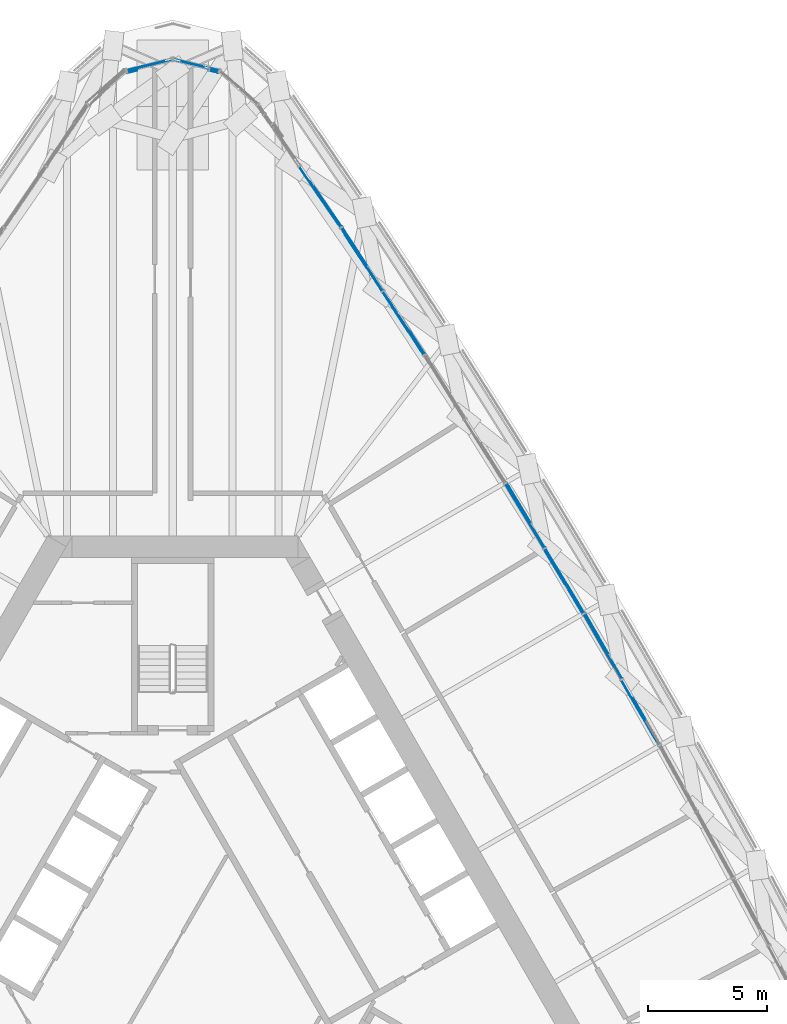
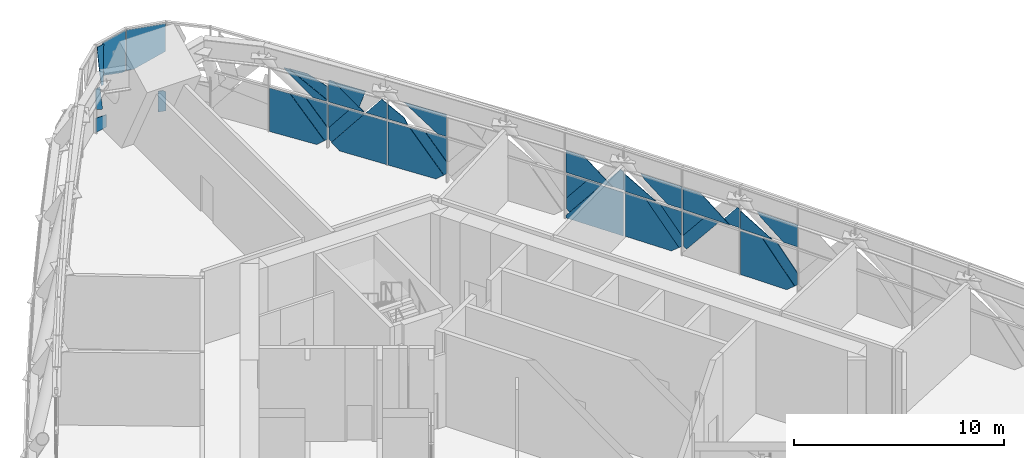
# One storey, part 19 of 43: 40 plates, 2 elements without a shape of their own.
"""IFC4 building model written with IfcOpenShell, lengths in metres."""

from ifc_helpers import new_model, si_unit, direction, frame, origin, place, context, subcontext, project, spatial, polyline, outline, extrude, material, layer, layer_set, type_object, element, aggregate, save


model = new_model("IFC4")

# Units and contexts
model_context = context("Model", 3, precision=1e-05, world=origin(), true_north=direction((0.0, 1.0)))
body_context = subcontext(model_context, "Body", "Model", "MODEL_VIEW")
ifc_project = project(units=[si_unit("LENGTHUNIT", "METRE"), si_unit("AREAUNIT", "SQUARE_METRE"), si_unit("VOLUMEUNIT", "CUBIC_METRE"), si_unit("PLANEANGLEUNIT", "RADIAN"), si_unit("MASSUNIT", "GRAM", prefix="KILO")], contexts=[model_context])

# Site, building, storey
site_placement = place(None, origin())
site = spatial("IfcSite", under=ifc_project, at=site_placement, CompositionType="ELEMENT")
building_placement = place(site_placement, origin())
building = spatial("IfcBuilding", under=site, at=building_placement, Name="Mestral Congress Tower", CompositionType="ELEMENT")
storey_placement = place(building_placement, frame((0.0, 0.0, 78.300048828125)))
storey = spatial("IfcBuildingStorey", under=building, at=storey_placement, Name="L18", CompositionType="ELEMENT", Elevation=78.300048828125)

# Curtain wall, plates
ifc_material_1 = material(Name="Clear low-emissivity double glazing", Category="glass")
curtain_wall_type = type_object("IfcCurtainWallType", Name="Facade refuge band screen", PredefinedType="USERDEFINED", material=ifc_material_1)
placement = place(storey_placement, origin())
curtain_wall_1 = element("IfcCurtainWall", 1, at=placement, inside=storey, type_object=curtain_wall_type, Name="Facade refuge band screen face 2", ObjectType="CURTAIN WALL", PredefinedType="USERDEFINED")
ifc_material_2 = material(Name="Anodised aluminium", Category="aluminium")
ifc_layer_1 = layer(ifc_material_2, 0.028076171875)
ifc_layer_set_1 = layer_set([ifc_layer_1], Name="Anodised aluminium")
plate_type_1 = type_object("IfcPlateType", Name="Facade refuge band screen brace cover panel", PredefinedType="CURTAIN_PANEL", material=ifc_layer_set_1)
plate_1_placement = place(storey_placement, frame((19.4755859375, 9.822021484375, 2.5400390625), z_axis=(0.865989351942, 0.500058874767, 0.001887879804), x_axis=(0.316024471565, -0.544349590735, -0.777053445034)))
plate_1 = element("IfcPlate", 2, at=plate_1_placement, type_object=plate_type_1, Name="Facade refuge band screen brace cover panel", PredefinedType="CURTAIN_PANEL", context=body_context, shape_type="SweptSolid", body=[
    extrude(outline(polyline([(0.0, 0.0), (2.812608355568554, 0.0), (2.812825746127844, -0.20235147438372514), (2.3015136286790643, -0.6164421801136237), (0.49935046743699185, -0.6164638896257844), (0.0, 0.0)])), origin(), (0.0, 0.0, -1.0), 0.028076171875),
])
plate_2_placement = place(storey_placement, frame((18.848388671875, 10.847412109375, 2.659912109375), z_axis=(0.865959480227, 0.500110559372, 0.001899212862), x_axis=(0.500111461326, -0.865961041993, 0.0)))
plate_2 = element("IfcPlate", 3, at=plate_2_placement, type_object=plate_type_1, Name="Facade refuge band screen brace cover panel", PredefinedType="CURTAIN_PANEL", context=body_context, shape_type="SweptSolid", body=[
    extrude(outline(polyline([(0.0, 0.0), (1.7383820065218427, -2.168404344971009e-19), (-9.017593093529853e-06, -1.0363788222408117), (0.0, 0.0)])), origin(), (0.0, 0.0, -1.0), 0.028076171875),
])
plate_3_placement = place(storey_placement, frame((20.462890625, 8.166259765625, 3.93798828125), z_axis=(0.866025528429, 0.499995856191, 0.001981893353), x_axis=(-0.499996838187, 0.86602722925, 1.525e-08)))
plate_3 = element("IfcPlate", 4, at=plate_3_placement, type_object=plate_type_1, Name="Facade refuge band screen brace cover panel", PredefinedType="CURTAIN_PANEL", context=body_context, shape_type="SweptSolid", body=[
    extrude(outline(polyline([(0.0, 0.0), (2.255843574434833, 0.0), (2.03169216336594, -0.27710014610846884), (0.7949271786672426, -1.2780787026731648), (-4.148321126463876e-05, -1.2780786427661845), (0.0, 0.0)])), origin(), (0.0, 0.0, -1.0), 0.028076171875),
])
plate_4_placement = place(storey_placement, frame((17.33203125, 13.65478515625, 0.481689453125), z_axis=(0.86600122358, 0.500037988732, 0.001972455923), x_axis=(0.38979561521, -0.67259439763, -0.629027944243)))
plate_4 = element("IfcPlate", 5, at=plate_4_placement, type_object=plate_type_1, Name="Facade refuge band screen brace cover panel", PredefinedType="CURTAIN_PANEL", context=body_context, shape_type="SweptSolid", body=[
    extrude(outline(polyline([(0.0, 0.0), (0.20221255423433798, 0.0), (0.2037848140864491, -2.8126981932882877), (-0.4129384548706968, -2.3136681089427173), (-0.41376262426855837, -0.5115779497043713), (0.0, 0.0)])), origin(), (0.0, 0.0, -1.0), 0.028076171875),
])
plate_5_placement = place(storey_placement, frame((17.277587890625, 13.623291015625, 3.93798828125), z_axis=(0.866024104811, 0.499998295628, 0.001988530849), x_axis=(0.00173834292, 0.000966163383, -0.999998022344)))
plate_5 = element("IfcPlate", 6, at=plate_5_placement, type_object=plate_type_1, Name="Facade refuge band screen brace cover panel", PredefinedType="CURTAIN_PANEL", context=body_context, shape_type="SweptSolid", body=[
    extrude(outline(polyline([(0.0, 0.0), (1.2780786432799847, 1.1519648082658485e-19), (1.278161702856559, -2.5580601826964364), (3.171194516528796e-05, -0.9790542542326115), (0.0, 0.0)])), origin(), (0.0, 0.0, -1.0), 0.028076171875),
])
plate_6_placement = place(storey_placement, frame((18.86865234375, 10.928466796875, 3.73193359375), z_axis=(0.865998764336, 0.500042444424, 0.001921963534), x_axis=(-0.430272406709, 0.7431981461, 0.512369175164)))
plate_6 = element("IfcPlate", 7, at=plate_6_placement, type_object=plate_type_1, Name="Facade refuge band screen brace cover panel", PredefinedType="CURTAIN_PANEL", context=body_context, shape_type="SweptSolid", body=[
    extrude(outline(polyline([(0.0, 0.0), (0.16915509756446465, 0.0), (0.32305129809211425, -1.1584887015869925), (-0.05858662217089494, -1.2133770644589918), (-0.5493853600618688, -0.9205490444515901), (0.0, 0.0)])), origin(), (0.0, 0.0, -1.0), 0.028076171875),
])
plate_7_placement = place(storey_placement, frame((16.2490234375, 15.337646484375, 2.5400390625), z_axis=(0.856658690608, 0.515879715236, 0.002001802538), x_axis=(0.327326366298, -0.540543683085, -0.77502901662)))
plate_7 = element("IfcPlate", 8, at=plate_7_placement, type_object=plate_type_1, Name="Facade refuge band screen brace cover panel", PredefinedType="CURTAIN_PANEL", context=body_context, shape_type="SweptSolid", body=[
    extrude(outline(polyline([(0.0, 0.0), (2.821530013135539, 2.220446049250313e-16), (2.8215588693815095, -0.2013214374691663), (2.3123747667186763, -0.6164834143547523), (0.5026594338957363, -0.6164926115502116), (0.0, 0.0)])), origin(), (0.0, 0.0, -1.0), 0.028076171875),
])
plate_8_placement = place(storey_placement, frame((15.60888671875, 16.341796875, 2.659912109375), z_axis=(0.856593059746, 0.515989291182, 0.001838852981), x_axis=(0.515990163562, -0.856594507983, 0.0)))
plate_8 = element("IfcPlate", 9, at=plate_8_placement, type_object=plate_type_1, Name="Facade refuge band screen brace cover panel", PredefinedType="CURTAIN_PANEL", context=body_context, shape_type="SweptSolid", body=[
    extrude(outline(polyline([(0.0, 0.0), (1.728889243916658, 0.0), (0.00028980262659675975, -1.0249040765466844), (0.0, 0.0)])), origin(), (0.0, 0.0, -1.0), 0.028076171875),
])
plate_9_placement = place(storey_placement, frame((17.27490234375, 13.69189453125, 2.659912109375), z_axis=(0.856634861444, 0.515919696713, 0.001892274496), x_axis=(-0.001656480123, -0.000917337496, 0.999998207281)))
plate_9 = element("IfcPlate", 10, at=plate_9_placement, type_object=plate_type_1, Name="Facade refuge band screen brace cover panel", PredefinedType="CURTAIN_PANEL", context=body_context, shape_type="SweptSolid", body=[
    extrude(outline(polyline([(0.0, 0.0), (1.27807864016734, 2.710505431213761e-20), (1.2782347847854483, -2.2725267118858), (0.9989217980405599, -2.044815088924262), (5.558411807845588e-05, -0.8057431390858486), (0.0, 0.0)])), origin(), (0.0, 0.0, -1.0), 0.028076171875),
])
plate_10_placement = place(storey_placement, frame((14.046142578125, 19.12353515625, 0.480712890625), z_axis=(0.85655520017, 0.516051044772, 0.002123264381), x_axis=(0.403239090668, -0.666728014565, -0.626795014619)))
plate_10 = element("IfcPlate", 11, at=plate_10_placement, type_object=plate_type_1, Name="Facade refuge band screen brace cover panel", PredefinedType="CURTAIN_PANEL", context=body_context, shape_type="SweptSolid", body=[
    extrude(outline(polyline([(0.0, 0.0), (0.20215388987069002, 1.3877787807814457e-17), (0.20268639445840564, -2.80598244677556), (-0.41446677699031287, -2.309527192241336), (-0.41470471216505206, -0.5155235199374033), (0.0, 0.0)])), origin(), (0.0, 0.0, -1.0), 0.028076171875),
])
plate_11_placement = place(storey_placement, frame((13.987060546875, 19.087890625, 3.93798828125), z_axis=(0.856647748056, 0.515897574362, 0.002080509106), x_axis=(0.001733307831, 0.001154629085, -0.999997831235)))
plate_11 = element("IfcPlate", 12, at=plate_11_placement, type_object=plate_type_1, Name="Facade refuge band screen brace cover panel", PredefinedType="CURTAIN_PANEL", context=body_context, shape_type="SweptSolid", body=[
    extrude(outline(polyline([(0.0, 0.0), (1.2780788999176425, 2.303929616531697e-19), (1.277837418419697, -2.545015639459247), (-9.108069514052945e-05, -0.9592795872346374), (0.0, 0.0)])), origin(), (0.0, 0.0, -1.0), 0.028076171875),
])
plate_12_placement = place(storey_placement, frame((15.327880859375, 16.924560546875, 2.659912109375), z_axis=(0.856567304172, 0.516031684618, 0.00193749677), x_axis=(0.516032653179, -0.856568911911, 3.508e-09)))
plate_12 = element("IfcPlate", 13, at=plate_12_placement, type_object=plate_type_1, Name="Facade refuge band screen brace cover panel", PredefinedType="CURTAIN_PANEL", context=body_context, shape_type="SweptSolid", body=[
    extrude(outline(polyline([(0.0, 0.0), (0.5842936025621068, 1.0842021724855044e-19), (0.584248207618932, -1.0605486970162858), (0.4135860913294734, -1.1616234316545262), (-0.3168715741571328, -0.25537129927801017), (0.0, 0.0)])), origin(), (0.0, 0.0, -1.0), 0.028076171875),
])
plate_13_placement = place(storey_placement, frame((9.4912109375, 26.1865234375, 2.5400390625), z_axis=(0.836891711947, 0.547365047413, 0.001940964939), x_axis=(0.349964904951, -0.532344241008, -0.770800995308)))
plate_13 = element("IfcPlate", 14, at=plate_13_placement, type_object=plate_type_1, Name="Facade refuge band screen brace cover panel", PredefinedType="CURTAIN_PANEL", context=body_context, shape_type="SweptSolid", body=[
    extrude(outline(polyline([(0.0, 0.0), (2.8461921180996197, -2.220446049250313e-16), (2.8459893175177973, -0.19519821562307338), (2.3345537872092503, -0.6180054144412254), (0.5109011761802298, -0.6181443863384859), (0.0, 0.0)])), origin(), (0.0, 0.0, -1.0), 0.028076171875),
])
plate_14_placement = place(storey_placement, frame((9.32470703125, 26.43994140625, 3.005859375), z_axis=(0.836917579615, 0.547325110825, 0.002046458421), x_axis=(-0.473839238173, 0.722668427094, 0.503216375775)))
plate_14 = element("IfcPlate", 15, at=plate_14_placement, type_object=plate_type_1, Name="Facade refuge band screen brace cover panel", PredefinedType="CURTAIN_PANEL", context=body_context, shape_type="SweptSolid", body=[
    extrude(outline(polyline([(0.0, 0.0), (0.9979749079462825, -5.551115123125783e-17), (0.5711863212362236, -0.7329418441949369), (-0.3269858053947472, -0.2099183227057522), (0.0, 0.0)])), origin(), (0.0, 0.0, -1.0), 0.028076171875),
])
plate_15_placement = place(storey_placement, frame((9.287109375, 26.439208984375, 3.93798828125), z_axis=(0.836921440812, 0.547319772975, 0.001888920169), x_axis=(0.447961199004, -0.682998464492, -0.576926218584)))
plate_15 = element("IfcPlate", 16, at=plate_15_placement, type_object=plate_type_1, Name="Facade refuge band screen brace cover panel", PredefinedType="CURTAIN_PANEL", context=body_context, shape_type="SweptSolid", body=[
    extrude(outline(polyline([(0.0, 0.0), (2.215319226063386, 0.0), (2.6052488969719385, -0.27541852718493876), (1.867909440358427, -1.319361125836797), (0.0, 0.0)])), origin(), (0.0, 0.0, -1.0), 0.028076171875),
])
plate_16_placement = place(storey_placement, frame((7.14013671875, 29.8525390625, 0.47216796875), z_axis=(0.836952797303, 0.547271227894, 0.002053827417), x_axis=(0.429729779482, -0.654861235669, -0.621682458048)))
plate_16 = element("IfcPlate", 17, at=plate_16_placement, type_object=plate_type_1, Name="Facade refuge band screen brace cover panel", PredefinedType="CURTAIN_PANEL", context=body_context, shape_type="SweptSolid", body=[
    extrude(outline(polyline([(0.0, 0.0), (0.19831824016828428, 2.7755575615628914e-17), (0.19828698337259953, -2.7974414143563857), (-0.4208915122097199, -2.3059965108448184), (-0.42077339816869175, -0.5300499124338092), (0.0, 0.0)])), origin(), (0.0, 0.0, -1.0), 0.028076171875),
])
plate_17_placement = place(storey_placement, frame((7.10791015625, 29.83154296875, 2.659912109375), z_axis=(0.836989154051, 0.547215613002, 0.002056425878), x_axis=(0.547216770039, -0.836990923838, 1.3415e-08)))
plate_17 = element("IfcPlate", 18, at=plate_17_placement, type_object=plate_type_1, Name="Facade refuge band screen brace cover panel", PredefinedType="CURTAIN_PANEL", context=body_context, shape_type="SweptSolid", body=[
    extrude(outline(polyline([(0.0, 0.0), (1.9015092056664127, -2.168404344971009e-19), (0.3185556463567272, -1.2780788700303989), (2.3697470124177428e-05, -1.2780788998112227), (0.0, 0.0)])), origin(), (0.0, 0.0, -1.0), 0.028076171875),
])
plate_18_placement = place(storey_placement, frame((7.2548828125, 29.547119140625, 3.93798828125), z_axis=(0.836931956473, 0.547302952446, 0.002092481325), x_axis=(0.426975037976, -0.650525941698, -0.628098970006)))
plate_18 = element("IfcPlate", 19, at=plate_18_placement, type_object=plate_type_1, Name="Facade refuge band screen brace cover panel", PredefinedType="CURTAIN_PANEL", context=body_context, shape_type="SweptSolid", body=[
    extrude(outline(polyline([(0.0, 0.0), (1.698220251203835, 0.0), (1.307903422646211, -1.0557260464097902), (0.0, 0.0)])), origin(), (0.0, 0.0, -1.0), 0.028076171875),
])
plate_19_placement = place(storey_placement, frame((8.819091796875, 27.211181640625, 3.54296875), z_axis=(0.836896915636, 0.547356449345, 0.002114227873), x_axis=(-0.474002257526, 0.722797420657, 0.502877468726)))
plate_19 = element("IfcPlate", 20, at=plate_19_placement, type_object=plate_type_1, Name="Facade refuge band screen brace cover panel", PredefinedType="CURTAIN_PANEL", context=body_context, shape_type="SweptSolid", body=[
    extrude(outline(polyline([(0.0, 0.0), (0.33741356022464575, 0.0), (0.5299403101234327, -1.329952989908477), (-0.44388130635311684, -0.7633885325121692), (0.0, 0.0)])), origin(), (0.0, 0.0, -1.0), 0.028076171875),
])
plate_20_placement = place(storey_placement, frame((5.96240234375, 31.516357421875, 2.5400390625), z_axis=(0.82678024595, 0.562521074766, 0.002113137707), x_axis=(0.361233719343, -0.528045708025, -0.768555743096)))
plate_20 = element("IfcPlate", 21, at=plate_20_placement, type_object=plate_type_1, Name="Facade refuge band screen brace cover panel", PredefinedType="CURTAIN_PANEL", context=body_context, shape_type="SweptSolid", body=[
    extrude(outline(polyline([(0.0, 0.0), (2.861812790509224, 0.0), (2.861570439271757, -0.1905096409108593), (2.3465444840587013, -0.6193128654346587), (0.5154996387451141, -0.6192612055999156), (0.0, 0.0)])), origin(), (0.0, 0.0, -1.0), 0.028076171875),
])
plate_21_placement = place(storey_placement, frame((7.097900390625, 29.8974609375, 3.5087890625), z_axis=(0.826733698208, 0.562589971194, 0.001979029634), x_axis=(-0.523802214609, 0.768441449294, 0.367598937672)))
plate_21 = element("IfcPlate", 22, at=plate_21_placement, type_object=plate_type_1, Name="Facade refuge band screen brace cover panel", PredefinedType="CURTAIN_PANEL", context=body_context, shape_type="SweptSolid", body=[
    extrude(outline(polyline([(0.0, 0.0), (1.167574659711552, 0.0), (2.0538125064287702, -0.3503078196915144), (-0.28806285013174515, -0.7290933957780871), (0.0, 0.0)])), origin(), (0.0, 0.0, -1.0), 0.028076171875),
])
plate_22_placement = place(storey_placement, frame((7.074462890625, 29.881591796875, 2.659912109375), z_axis=(0.826657258612, 0.56270289063, 0.001798238304), x_axis=(-0.00148652915, -0.001011875528, 0.999998383168)))
plate_22 = element("IfcPlate", 23, at=plate_22_placement, type_object=plate_type_1, Name="Facade refuge band screen brace cover panel", PredefinedType="CURTAIN_PANEL", context=body_context, shape_type="SweptSolid", body=[
    extrude(outline(polyline([(0.0, 0.0), (0.06494130125066888, 7.040961374051372e-21), (1.2780782986340578, -2.0388031684965076), (1.2780781195209725, -2.315758927029537), (1.1518572912713056, -2.2084279669327973), (-1.1225895387725025e-07, -0.7923393921991471), (0.0, 0.0)])), origin(), (0.0, 0.0, -1.0), 0.028076171875),
])

curtain_wall_2 = element("IfcCurtainWall", 24, at=placement, inside=storey, type_object=curtain_wall_type, Name="Facade refuge band screen corner 2", ObjectType="CURTAIN WALL", PredefinedType="USERDEFINED")
plate_23_placement = place(storey_placement, frame((1.754150390625, 36.402099609375, 1.2119140625), z_axis=(0.23864647731, 0.971104589329, 0.001932731895), x_axis=(-0.971106403662, 0.238646920711, 1.239516e-06)))
plate_23 = element("IfcPlate", 25, at=plate_23_placement, type_object=plate_type_1, Name="Facade refuge band screen brace cover panel", PredefinedType="CURTAIN_PANEL", context=body_context, shape_type="SweptSolid", body=[
    extrude(outline(polyline([(0.0, 0.0), (0.24206448730821287, 0.0), (0.2343556566354842, -1.211916421918312), (-0.15657051070002231, -1.2119160002661227), (-0.15661934594886814, -0.11279261007674264), (0.0, 0.0)])), origin(), (0.0, 0.0, -1.0), 0.028076171875),
])
plate_24_placement = place(storey_placement, frame((0.032470703125, 36.9208984375, 2.659912109375), z_axis=(0.238669685924, 0.971098835186, 0.001957887039), x_axis=(0.97110069653, -0.238670143082, -1.5353e-07)))
plate_24 = element("IfcPlate", 26, at=plate_24_placement, type_object=plate_type_1, Name="Facade refuge band screen brace cover panel", PredefinedType="CURTAIN_PANEL", context=body_context, shape_type="SweptSolid", body=[
    extrude(outline(polyline([(0.0, 0.0), (0.34995052697849277, 0.0), (1.95225585837644, -0.7407242377943437), (1.9523018508360361, -2.3701220227213424), (-0.00013694613566565437, -2.3701215705315306), (0.0, 0.0)])), origin(), (0.0, 0.0, -1.0), 0.028076171875),
])
plate_25_placement = place(storey_placement, frame((-1.9296875, 36.460205078125, 0.0), z_axis=(-0.238626810543, 0.971109416845, 0.001935408142), x_axis=(0.971111235828, 0.238627256717, 4.00008e-07)))
plate_25 = element("IfcPlate", 27, at=plate_25_placement, type_object=plate_type_1, Name="Facade refuge band screen brace cover panel", PredefinedType="CURTAIN_PANEL", context=body_context, shape_type="SweptSolid", body=[
    extrude(outline(polyline([(0.0, 0.0), (0.6993686216824844, 5.421010862427522e-20), (0.6993147032683691, -0.7172862199268686), (6.670236872669491e-05, -0.843019436745991), (0.0, 0.0)])), origin(), (0.0, 0.0, -1.0), 0.028076171875),
])
plate_26_placement = place(storey_placement, frame((-1.928466796875, 36.455078125, 2.5400390625), z_axis=(-0.238706048617, 0.971089779525, 0.002015553307), x_axis=(-0.000392177805, 0.001979151703, -0.999997964575)))
plate_26 = element("IfcPlate", 28, at=plate_26_placement, type_object=plate_type_1, Name="Facade refuge band screen brace cover panel", PredefinedType="CURTAIN_PANEL", context=body_context, shape_type="SweptSolid", body=[
    extrude(outline(polyline([(0.0, 0.0), (1.185793625443299, 5.421010862427522e-20), (1.3821241854450248, -0.45083060262352914), (2.5828532634052285e-05, -0.27984148078822674), (0.0, 0.0)])), origin(), (0.0, 0.0, -1.0), 0.028076171875),
])
plate_27_placement = place(storey_placement, frame((-1.647216796875, 36.421142578125, 2.659912109375), z_axis=(-0.238360720662, 0.971174613275, 0.002009322031), x_axis=(0.971176574429, 0.238361199187, 1.359401e-06)))
plate_27 = element("IfcPlate", 29, at=plate_27_placement, type_object=plate_type_1, Name="Facade refuge band screen brace cover panel", PredefinedType="CURTAIN_PANEL", context=body_context, shape_type="SweptSolid", body=[
    extrude(outline(polyline([(0.0, 0.0), (0.14276379418038387, 0.0), (0.15747177183162292, -2.3701216552243882), (-0.2648963483601507, -2.370122547816812), (-0.26501737601991937, -2.1411180342539318), (0.0, 0.0)])), origin(), (0.0, 0.0, -1.0), 0.028076171875),
])
plate_28_placement = place(storey_placement, frame((-0.03125, 36.91650390625, 5.030029296875), z_axis=(-0.238698371064, 0.971091857414, 0.001921487692), x_axis=(-0.971093650106, -0.238698811736, 1.0771e-08)))
plate_28 = element("IfcPlate", 30, at=plate_28_placement, type_object=plate_type_1, Name="Facade refuge band screen brace cover panel", PredefinedType="CURTAIN_PANEL", context=body_context, shape_type="SweptSolid", body=[
    extrude(outline(polyline([(0.0, 0.0), (1.5300706486574718, 1.0842021724855044e-19), (1.5419870538610088, -1.9040562969829031), (0.2168568504759111, -2.370121521060414), (0.0001364221362532461, -2.3701215719601043), (0.0, 0.0)])), origin(), (0.0, 0.0, -1.0), 0.028076171875),
])
aggregate(curtain_wall_2, [plate_23, plate_24, plate_25, plate_26, plate_27, plate_28])

# Plate
ifc_layer_2 = layer(ifc_material_1, 0.028076171875)
ifc_layer_set_2 = layer_set([ifc_layer_2], Name="Clear low-emissivity double glazing")
plate_type_2 = type_object("IfcPlateType", Name="Facade refuge band screen panel", PredefinedType="CURTAIN_PANEL", material=ifc_layer_set_2)
plate_29_placement = place(storey_placement, frame((18.8486328125, 10.84765625, 2.5400390625), z_axis=(0.866008786954, 0.50002474322, 0.002009250292), x_axis=(0.001756389813, 0.000976346131, -0.999997980919)))
plate_29 = element("IfcPlate", 31, at=plate_29_placement, type_object=plate_type_2, Name="Refuge screen glass unit", PredefinedType="CURTAIN_PANEL", context=body_context, shape_type="SweptSolid", body=[
    extrude(outline(polyline([(0.0, 0.0), (2.540044036124102, -1.8973538018496328e-19), (2.540127060490773, -2.5344405238908063), (2.1856485210158922, -2.972148261739469), (3.9138617034750094e-05, -1.201749581361688), (0.0, 0.0)])), origin(), (0.0, 0.0, -1.0), 0.028076171875),
])

plate_30_placement = place(storey_placement, frame((17.28173828125, 13.625732421875, 2.5400390625), z_axis=(0.866047609129, 0.499957404574, 0.002032813898), x_axis=(0.001743371571, 0.001046022943, -0.999997933244)))
plate_30 = element("IfcPlate", 32, at=plate_30_placement, type_object=plate_type_2, Name="Refuge screen glass unit", PredefinedType="CURTAIN_PANEL", context=body_context, shape_type="SweptSolid", body=[
    extrude(outline(polyline([(0.0, 0.0), (1.400393519272201, 3.9302328752599536e-19), (-3.890238320512947e-05, -1.1343716375603101), (0.0, 0.0)])), origin(), (0.0, 0.0, -1.0), 0.028076171875),
])

plate_31_placement = place(storey_placement, frame((15.66064453125, 16.372802734375, 2.5400390625), z_axis=(0.856640383649, 0.515909976804, 0.002036893737), x_axis=(0.001738112159, 0.001062108642, -0.999997925444)))
plate_31 = element("IfcPlate", 33, at=plate_31_placement, type_object=plate_type_2, Name="Refuge screen glass unit", PredefinedType="CURTAIN_PANEL", context=body_context, shape_type="SweptSolid", body=[
    extrude(outline(polyline([(0.0, 0.0), (2.540044283576261, 2.710505431213761e-19), (2.540010985661042, -2.540200702688801), (2.1867329995601046, -2.973505670196608), (-1.5628323005335105e-05, -1.1901498891842004), (0.0, 0.0)])), origin(), (0.0, 0.0, -1.0), 0.028076171875),
])

plate_32_placement = place(storey_placement, frame((17.2236328125, 13.6611328125, 2.5400390625), z_axis=(0.856717877222, 0.515781308589, 0.002029915861), x_axis=(-0.515782371246, 0.856719642305, 0.0)))
plate_32 = element("IfcPlate", 34, at=plate_32_placement, type_object=plate_type_2, Name="Refuge screen glass unit", PredefinedType="CURTAIN_PANEL", context=body_context, shape_type="SweptSolid", body=[
    extrude(outline(polyline([(0.0, 0.0), (1.1435903646244665, -2.168404344971009e-19), (-4.2738912662903215e-06, -1.4025907803565907), (0.0, 0.0)])), origin(), (0.0, 0.0, -1.0), 0.028076171875),
])

plate_33_placement = place(storey_placement, frame((15.60400390625, 16.40869140625, 2.5400390625), z_axis=(0.856620770084, 0.515942499106, 0.002047895797), x_axis=(-0.515943581142, 0.856622566291, 7.5735e-08)))
plate_33 = element("IfcPlate", 35, at=plate_33_placement, type_object=plate_type_2, Name="Refuge screen glass unit", PredefinedType="CURTAIN_PANEL", context=body_context, shape_type="SweptSolid", body=[
    extrude(outline(polyline([(0.0, 0.0), (1.2127178754964896, 2.168404344971009e-19), (3.129259063952787, -2.381597008059875), (3.1293422255331222, -2.540044627684794), (3.297749521249161e-05, -2.5400442829471133), (0.0, 0.0)])), origin(), (0.0, 0.0, -1.0), 0.028076171875),
])

plate_34_placement = place(storey_placement, frame((14.01513671875, 19.10498046875, 2.5400390625), z_axis=(0.856647533902, 0.515898451504, 0.001946893903), x_axis=(0.00174672156, 0.00087336078, -0.999998093101)))
plate_34 = element("IfcPlate", 36, at=plate_34_placement, type_object=plate_type_2, Name="Refuge screen glass unit", PredefinedType="CURTAIN_PANEL", context=body_context, shape_type="SweptSolid", body=[
    extrude(outline(polyline([(0.0, 0.0), (1.3977077434131246, 1.0842021724855044e-19), (0.00017207083727060265, -1.1248747836272348), (0.0, 0.0)])), origin(), (0.0, 0.0, -1.0), 0.028076171875),
])

plate_35_placement = place(storey_placement, frame((8.828369140625, 27.145751953125, 2.5400390625), z_axis=(0.836963331039, 0.547255399293, 0.001977483387), x_axis=(0.001616148408, 0.001141738504, -0.999998042247)))
plate_35 = element("IfcPlate", 37, at=plate_35_placement, type_object=plate_type_2, Name="Refuge screen glass unit", PredefinedType="CURTAIN_PANEL", context=body_context, shape_type="SweptSolid", body=[
    extrude(outline(polyline([(0.0, 0.0), (2.540044142314722, 8.131516293641283e-20), (2.539861906586769, -2.5599028684049006), (2.1936400528719813, -2.978905320397937), (-8.285919675789558e-05, -1.1656477422649516), (0.0, 0.0)])), origin(), (0.0, 0.0, -1.0), 0.028076171875),
])

plate_36_placement = place(storey_placement, frame((10.591064453125, 24.559326171875, 2.5400390625), z_axis=(0.837056555914, 0.547112266968, 0.00211885228), x_axis=(-0.547113495112, 0.837058434918, 0.0)))
plate_36 = element("IfcPlate", 38, at=plate_36_placement, type_object=plate_type_2, Name="Refuge screen glass unit", PredefinedType="CURTAIN_PANEL", context=body_context, shape_type="SweptSolid", body=[
    extrude(outline(polyline([(0.0, 0.0), (1.1619932485308802, 0.0), (9.479347981082077e-05, -1.4057648743688331), (0.0, 0.0)])), origin(), (0.0, 0.0, -1.0), 0.028076171875),
])

plate_37_placement = place(storey_placement, frame((7.111572265625, 29.833740234375, 2.5400390625), z_axis=(0.836983692151, 0.547224538685, 0.001898245079), x_axis=(0.001579498734, 0.001052999156, -0.999998198187)))
plate_37 = element("IfcPlate", 39, at=plate_37_placement, type_object=plate_type_2, Name="Refuge screen glass unit", PredefinedType="CURTAIN_PANEL", context=body_context, shape_type="SweptSolid", body=[
    extrude(outline(polyline([(0.0, 0.0), (1.3911157877810103, 2.710505431213761e-19), (-1.8766830655602275e-05, -1.1037568223816696), (0.0, 0.0)])), origin(), (0.0, 0.0, -1.0), 0.028076171875),
])

plate_38_placement = place(storey_placement, frame((7.416015625, 29.322509765625, 0.0), z_axis=(0.837012449379, 0.547180387769, 0.001944948561), x_axis=(0.547181422737, -0.837014032505, -1.3143e-08)))
plate_38 = element("IfcPlate", 40, at=plate_38_placement, type_object=plate_type_2, Name="Refuge screen glass unit", PredefinedType="CURTAIN_PANEL", context=body_context, shape_type="SweptSolid", body=[
    extrude(outline(polyline([(0.0, 0.0), (2.5347142590438816, 4.336808689942018e-19), (2.5346910494335564, -2.5400438729245516), (1.2997018912877314, -2.5400438988111893), (-0.4393979985212969, -0.34887753384612386), (0.0, 0.0)])), origin(), (0.0, 0.0, -1.0), 0.028076171875),
])

plate_39_placement = place(storey_placement, frame((5.326904296875, 32.396484375, 2.5400390625), z_axis=(0.826716035831, 0.562615740446, 0.002030935989), x_axis=(0.001690177216, 0.001126230831, -0.99999793745)))
plate_39 = element("IfcPlate", 41, at=plate_39_placement, type_object=plate_type_2, Name="Refuge screen glass unit", PredefinedType="CURTAIN_PANEL", context=body_context, shape_type="SweptSolid", body=[
    extrude(outline(polyline([(0.0, 0.0), (2.5400445505844793, 2.710505431213761e-20), (2.5400941151117555, -2.506556494342087), (2.1995252981252094, -2.9159643103882797), (2.1816685326843258e-05, -1.0850746698386198), (0.0, 0.0)])), origin(), (0.0, 0.0, -1.0), 0.028076171875),
])

plate_40_placement = place(storey_placement, frame((7.099609375, 29.898681640625, 2.5400390625), z_axis=(0.826688537786, 0.562656680621, 0.001876498425), x_axis=(-0.56265767125, 0.826689993277, 0.0)))
plate_40 = element("IfcPlate", 42, at=plate_40_placement, type_object=plate_type_2, Name="Refuge screen glass unit", PredefinedType="CURTAIN_PANEL", context=body_context, shape_type="SweptSolid", body=[
    extrude(outline(polyline([(0.0, 0.0), (1.1715466102790384, 0.0), (-2.5336689840342692e-05, -1.407229040102235), (0.0, 0.0)])), origin(), (0.0, 0.0, -1.0), 0.028076171875),
])

aggregate(curtain_wall_1, [plate_29, plate_1, plate_2, plate_3, plate_30, plate_4, plate_5, plate_6, plate_31, plate_32, plate_7, plate_8, plate_9, plate_33, plate_34, plate_10, plate_11, plate_12, plate_35, plate_36, plate_13, plate_14, plate_15, plate_37, plate_38, plate_16, plate_17, plate_18, plate_19, plate_39, plate_40, plate_20, plate_21, plate_22])

save(model, "model.ifc")
